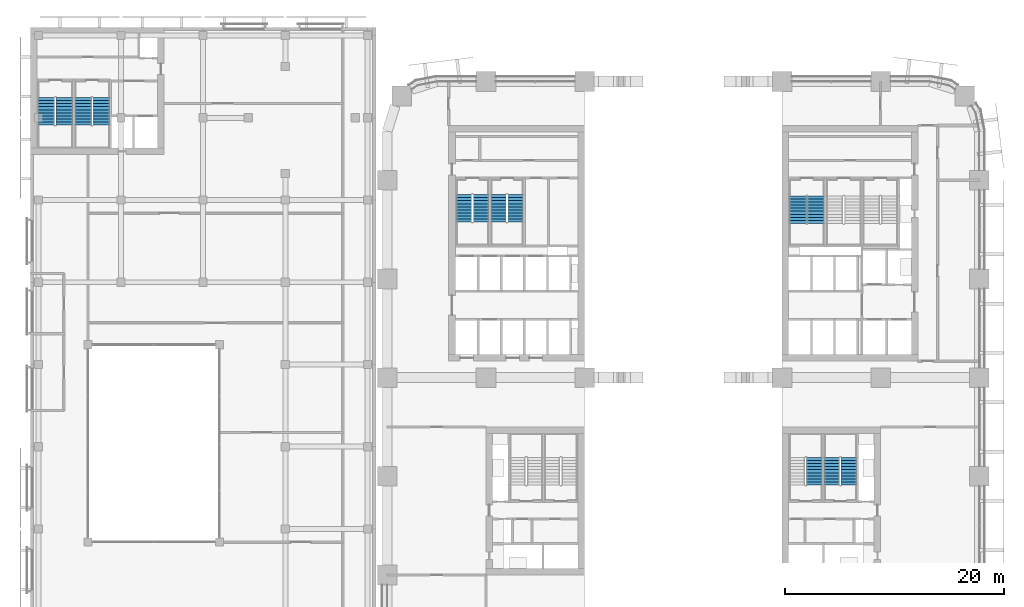
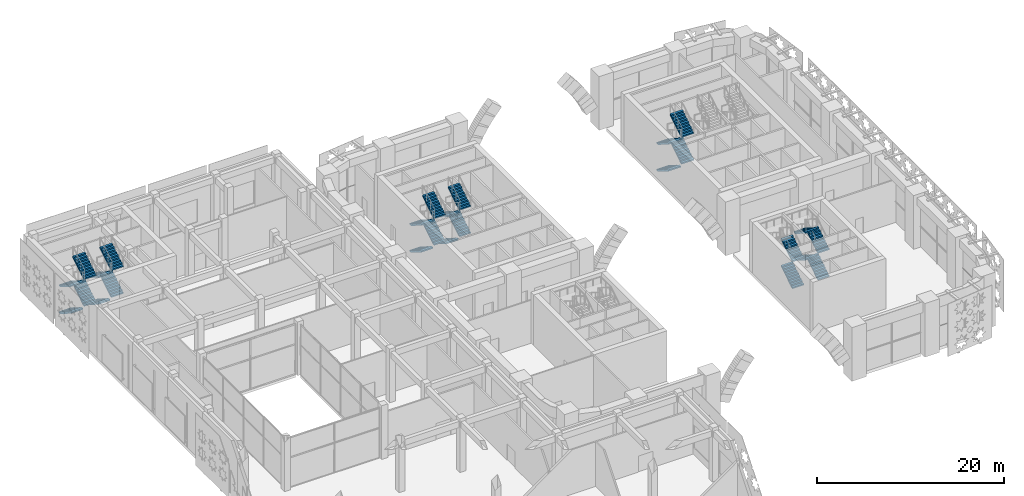
# One storey, part 25 of 42: 26 stair flights, 7 elements without a shape of their own.
"""IFC4 building model written with IfcOpenShell, lengths in metres."""

from ifc_helpers import new_model, si_unit, direction, frame, origin, place, context, subcontext, project, spatial, polyline, outline, extrude, material, type_object, element, aggregate, save


model = new_model("IFC4")

# Units and contexts
model_context = context("Model", 3, precision=1e-05, world=origin(), true_north=direction((0.0, 1.0)))
body_context = subcontext(model_context, "Body", "Model", "MODEL_VIEW")
ifc_project = project(units=[si_unit("LENGTHUNIT", "METRE"), si_unit("AREAUNIT", "SQUARE_METRE"), si_unit("VOLUMEUNIT", "CUBIC_METRE"), si_unit("PLANEANGLEUNIT", "RADIAN"), si_unit("MASSUNIT", "GRAM", prefix="KILO")], contexts=[model_context])

# Site, building, storey
site_placement = place(None, origin())
site = spatial("IfcSite", under=ifc_project, at=site_placement, CompositionType="ELEMENT")
building_placement = place(site_placement, origin())
building = spatial("IfcBuilding", under=site, at=building_placement, Name="Tessera Arch", CompositionType="ELEMENT")
storey_placement = place(building_placement, frame((0.0, 0.0, 14.0)))
storey = spatial("IfcBuildingStorey", under=building, at=storey_placement, Name="L02", CompositionType="ELEMENT", Elevation=14.0)

# Stair, stair flights
ifc_material_1 = material(Name="Concrete C40/50", Category="concrete")
stair_type_1 = type_object("IfcStairType", Name="Dogleg stair 1400", PredefinedType="HALF_TURN_STAIR", material=ifc_material_1)
stair_1_placement = place(storey_placement, origin())
stair_1 = element("IfcStair", 1, at=stair_1_placement, inside=storey, type_object=stair_type_1, Name="L02 S2a", PredefinedType="HALF_TURN_STAIR")
ifc_material_2 = material(Name="Concrete C40/50", Category="concrete")
stair_flight_type_1 = type_object("IfcStairFlightType", Name="Stair flight 1400", PredefinedType="STRAIGHT", material=ifc_material_2)
stair_flight_1_placement = place(storey_placement, frame((7.0, 43.699951171875, 0.0), z_axis=(0.0, 0.0, 1.0), x_axis=(0.0, -1.0, 0.0)))
stair_flight_1 = element("IfcStairFlight", 2, at=stair_flight_1_placement, type_object=stair_flight_type_1, Name="S2a flight 1", NumberOfRisers=10, NumberOfTreads=9, PredefinedType="STRAIGHT", RiserHeight=0.175, TreadLength=0.28, context=body_context, shape_type="SweptSolid", body=[
    extrude(outline(polyline([(0.0, 0.0), (0.0, 0.175048828125), (0.280029296875, 0.175048828125), (0.280029296875, 0.35009765625), (0.56005859375, 0.35009765625), (0.56005859375, 0.52490234375), (0.840087890625, 0.52490234375), (0.840087890625, 0.699951171875), (1.1201171875, 0.699951171875), (1.1201171875, 0.875), (1.39990234375, 0.875), (1.39990234375, 1.050048828125), (1.679931640625, 1.050048828125), (1.679931640625, 1.22509765625), (1.9599609375, 1.22509765625), (1.9599609375, 1.39990234375), (2.239990234375, 1.39990234375), (2.239990234375, 1.574951171875), (2.52001953125, 1.574951171875), (2.52001953125, 1.75), (2.52001953125, 1.398193359375), (0.28271484375, 0.0), (0.0, 0.0)])), frame((0.0, 0.699951171875, 0.0), z_axis=(0.0, -1.0, 0.0), x_axis=(1.0, 0.0, 0.0)), (0.0, 0.0, 1.0), 1.39990234375),
])
stair_flight_2_placement = place(storey_placement, frame((8.550048828125, 41.179931640625, 1.75), z_axis=(0.0, 0.0, 1.0), x_axis=(0.0, 1.0, 0.0)))
stair_flight_2 = element("IfcStairFlight", 3, at=stair_flight_2_placement, type_object=stair_flight_type_1, Name="S2a flight 2", NumberOfRisers=10, NumberOfTreads=9, PredefinedType="STRAIGHT", RiserHeight=0.175, TreadLength=0.28, context=body_context, shape_type="SweptSolid", body=[
    extrude(outline(polyline([(0.0, 0.0), (0.0, 0.175048828125), (0.280029296875, 0.175048828125), (0.280029296875, 0.35009765625), (0.56005859375, 0.35009765625), (0.56005859375, 0.52490234375), (0.840087890625, 0.52490234375), (0.840087890625, 0.699951171875), (1.1201171875, 0.699951171875), (1.1201171875, 0.875), (1.39990234375, 0.875), (1.39990234375, 1.050048828125), (1.679931640625, 1.050048828125), (1.679931640625, 1.22509765625), (1.9599609375, 1.22509765625), (1.9599609375, 1.39990234375), (2.239990234375, 1.39990234375), (2.239990234375, 1.574951171875), (2.52001953125, 1.574951171875), (2.52001953125, 1.75), (2.52001953125, 1.398193359375), (0.28271484375, 0.0), (0.0, 0.0)])), frame((0.0, 0.699951171875, 0.0), z_axis=(0.0, -1.0, 0.0), x_axis=(1.0, 0.0, 0.0)), (0.0, 0.0, 1.0), 1.39990234375),
])
stair_flight_3_placement = place(storey_placement, frame((7.0, 43.699951171875, 3.5), z_axis=(0.0, 0.0, 1.0), x_axis=(0.0, -1.0, 0.0)))
stair_flight_3 = element("IfcStairFlight", 4, at=stair_flight_3_placement, type_object=stair_flight_type_1, Name="S2a flight 3", NumberOfRisers=10, NumberOfTreads=9, PredefinedType="STRAIGHT", RiserHeight=0.175, TreadLength=0.28, context=body_context, shape_type="SweptSolid", body=[
    extrude(outline(polyline([(0.0, 0.0), (0.0, 0.175048828125), (0.280029296875, 0.175048828125), (0.280029296875, 0.35009765625), (0.56005859375, 0.35009765625), (0.56005859375, 0.52490234375), (0.840087890625, 0.52490234375), (0.840087890625, 0.699951171875), (1.1201171875, 0.699951171875), (1.1201171875, 0.875), (1.39990234375, 0.875), (1.39990234375, 1.050048828125), (1.679931640625, 1.050048828125), (1.679931640625, 1.22509765625), (1.9599609375, 1.22509765625), (1.9599609375, 1.39990234375), (2.239990234375, 1.39990234375), (2.239990234375, 1.574951171875), (2.52001953125, 1.574951171875), (2.52001953125, 1.75), (2.52001953125, 1.398193359375), (0.28271484375, 0.0), (0.0, 0.0)])), frame((0.0, 0.699951171875, 0.0), z_axis=(0.0, -1.0, 0.0), x_axis=(1.0, 0.0, 0.0)), (0.0, 0.0, 1.0), 1.39990234375),
])
stair_flight_4_placement = place(storey_placement, frame((8.550048828125, 41.179931640625, 5.25), z_axis=(0.0, 0.0, 1.0), x_axis=(0.0, 1.0, 0.0)))
stair_flight_4 = element("IfcStairFlight", 5, at=stair_flight_4_placement, type_object=stair_flight_type_1, Name="S2a flight 4", NumberOfRisers=10, NumberOfTreads=9, PredefinedType="STRAIGHT", RiserHeight=0.175, TreadLength=0.28, context=body_context, shape_type="SweptSolid", body=[
    extrude(outline(polyline([(0.0, 0.0), (0.0, 0.175048828125), (0.280029296875, 0.175048828125), (0.280029296875, 0.35009765625), (0.56005859375, 0.35009765625), (0.56005859375, 0.52490234375), (0.840087890625, 0.52490234375), (0.840087890625, 0.699951171875), (1.1201171875, 0.699951171875), (1.1201171875, 0.875), (1.39990234375, 0.875), (1.39990234375, 1.050048828125), (1.679931640625, 1.050048828125), (1.679931640625, 1.22509765625), (1.9599609375, 1.22509765625), (1.9599609375, 1.39990234375), (2.239990234375, 1.39990234375), (2.239990234375, 1.574951171875), (2.52001953125, 1.574951171875), (2.52001953125, 1.75), (2.52001953125, 1.398193359375), (0.28271484375, 0.0), (0.0, 0.0)])), frame((0.0, 0.699951171875, 0.0), z_axis=(0.0, -1.0, 0.0), x_axis=(1.0, 0.0, 0.0)), (0.0, 0.0, 1.0), 1.39990234375),
])
aggregate(stair_1, [stair_flight_1, stair_flight_2, stair_flight_3, stair_flight_4])

stair_2_placement = place(storey_placement, origin())
stair_2 = element("IfcStair", 6, at=stair_2_placement, inside=storey, type_object=stair_type_1, Name="L02 S2b", PredefinedType="HALF_TURN_STAIR")
stair_flight_5_placement = place(storey_placement, frame((10.14990234375, 43.699951171875, 0.0), z_axis=(0.0, 0.0, 1.0), x_axis=(0.0, -1.0, 0.0)))
stair_flight_5 = element("IfcStairFlight", 7, at=stair_flight_5_placement, type_object=stair_flight_type_1, Name="S2b flight 1", NumberOfRisers=10, NumberOfTreads=9, PredefinedType="STRAIGHT", RiserHeight=0.175, TreadLength=0.28, context=body_context, shape_type="SweptSolid", body=[
    extrude(outline(polyline([(0.0, 0.0), (0.0, 0.175048828125), (0.280029296875, 0.175048828125), (0.280029296875, 0.35009765625), (0.56005859375, 0.35009765625), (0.56005859375, 0.52490234375), (0.840087890625, 0.52490234375), (0.840087890625, 0.699951171875), (1.1201171875, 0.699951171875), (1.1201171875, 0.875), (1.39990234375, 0.875), (1.39990234375, 1.050048828125), (1.679931640625, 1.050048828125), (1.679931640625, 1.22509765625), (1.9599609375, 1.22509765625), (1.9599609375, 1.39990234375), (2.239990234375, 1.39990234375), (2.239990234375, 1.574951171875), (2.52001953125, 1.574951171875), (2.52001953125, 1.75), (2.52001953125, 1.398193359375), (0.28271484375, 0.0), (0.0, 0.0)])), frame((0.0, 0.699951171875, 0.0), z_axis=(0.0, -1.0, 0.0), x_axis=(1.0, 0.0, 0.0)), (0.0, 0.0, 1.0), 1.39990234375),
])
stair_flight_6_placement = place(storey_placement, frame((11.699951171875, 41.179931640625, 1.75), z_axis=(0.0, 0.0, 1.0), x_axis=(0.0, 1.0, 0.0)))
stair_flight_6 = element("IfcStairFlight", 8, at=stair_flight_6_placement, type_object=stair_flight_type_1, Name="S2b flight 2", NumberOfRisers=10, NumberOfTreads=9, PredefinedType="STRAIGHT", RiserHeight=0.175, TreadLength=0.28, context=body_context, shape_type="SweptSolid", body=[
    extrude(outline(polyline([(0.0, 0.0), (0.0, 0.175048828125), (0.280029296875, 0.175048828125), (0.280029296875, 0.35009765625), (0.56005859375, 0.35009765625), (0.56005859375, 0.52490234375), (0.840087890625, 0.52490234375), (0.840087890625, 0.699951171875), (1.1201171875, 0.699951171875), (1.1201171875, 0.875), (1.39990234375, 0.875), (1.39990234375, 1.050048828125), (1.679931640625, 1.050048828125), (1.679931640625, 1.22509765625), (1.9599609375, 1.22509765625), (1.9599609375, 1.39990234375), (2.239990234375, 1.39990234375), (2.239990234375, 1.574951171875), (2.52001953125, 1.574951171875), (2.52001953125, 1.75), (2.52001953125, 1.398193359375), (0.28271484375, 0.0), (0.0, 0.0)])), frame((0.0, 0.699951171875, 0.0), z_axis=(0.0, -1.0, 0.0), x_axis=(1.0, 0.0, 0.0)), (0.0, 0.0, 1.0), 1.39990234375),
])
stair_flight_7_placement = place(storey_placement, frame((10.14990234375, 43.699951171875, 3.5), z_axis=(0.0, 0.0, 1.0), x_axis=(0.0, -1.0, 0.0)))
stair_flight_7 = element("IfcStairFlight", 9, at=stair_flight_7_placement, type_object=stair_flight_type_1, Name="S2b flight 3", NumberOfRisers=10, NumberOfTreads=9, PredefinedType="STRAIGHT", RiserHeight=0.175, TreadLength=0.28, context=body_context, shape_type="SweptSolid", body=[
    extrude(outline(polyline([(0.0, 0.0), (0.0, 0.175048828125), (0.280029296875, 0.175048828125), (0.280029296875, 0.35009765625), (0.56005859375, 0.35009765625), (0.56005859375, 0.52490234375), (0.840087890625, 0.52490234375), (0.840087890625, 0.699951171875), (1.1201171875, 0.699951171875), (1.1201171875, 0.875), (1.39990234375, 0.875), (1.39990234375, 1.050048828125), (1.679931640625, 1.050048828125), (1.679931640625, 1.22509765625), (1.9599609375, 1.22509765625), (1.9599609375, 1.39990234375), (2.239990234375, 1.39990234375), (2.239990234375, 1.574951171875), (2.52001953125, 1.574951171875), (2.52001953125, 1.75), (2.52001953125, 1.398193359375), (0.28271484375, 0.0), (0.0, 0.0)])), frame((0.0, 0.699951171875, 0.0), z_axis=(0.0, -1.0, 0.0), x_axis=(1.0, 0.0, 0.0)), (0.0, 0.0, 1.0), 1.39990234375),
])
stair_flight_8_placement = place(storey_placement, frame((11.699951171875, 41.179931640625, 5.25), z_axis=(0.0, 0.0, 1.0), x_axis=(0.0, 1.0, 0.0)))
stair_flight_8 = element("IfcStairFlight", 10, at=stair_flight_8_placement, type_object=stair_flight_type_1, Name="S2b flight 4", NumberOfRisers=10, NumberOfTreads=9, PredefinedType="STRAIGHT", RiserHeight=0.175, TreadLength=0.28, context=body_context, shape_type="SweptSolid", body=[
    extrude(outline(polyline([(0.0, 0.0), (0.0, 0.175048828125), (0.280029296875, 0.175048828125), (0.280029296875, 0.35009765625), (0.56005859375, 0.35009765625), (0.56005859375, 0.52490234375), (0.840087890625, 0.52490234375), (0.840087890625, 0.699951171875), (1.1201171875, 0.699951171875), (1.1201171875, 0.875), (1.39990234375, 0.875), (1.39990234375, 1.050048828125), (1.679931640625, 1.050048828125), (1.679931640625, 1.22509765625), (1.9599609375, 1.22509765625), (1.9599609375, 1.39990234375), (2.239990234375, 1.39990234375), (2.239990234375, 1.574951171875), (2.52001953125, 1.574951171875), (2.52001953125, 1.75), (2.52001953125, 1.398193359375), (0.28271484375, 0.0), (0.0, 0.0)])), frame((0.0, 0.699951171875, 0.0), z_axis=(0.0, -1.0, 0.0), x_axis=(1.0, 0.0, 0.0)), (0.0, 0.0, 1.0), 1.39990234375),
])
aggregate(stair_2, [stair_flight_5, stair_flight_6, stair_flight_7, stair_flight_8])

stair_3_placement = place(storey_placement, origin())
stair_3 = element("IfcStair", 11, at=stair_3_placement, inside=storey, type_object=stair_type_1, Name="L02 S3a", PredefinedType="HALF_TURN_STAIR")
stair_flight_9_placement = place(storey_placement, frame((38.949951171875, 17.199951171875, 0.0), z_axis=(0.0, 0.0, 1.0), x_axis=(0.0, 1.0, 0.0)))
stair_flight_9 = element("IfcStairFlight", 12, at=stair_flight_9_placement, type_object=stair_flight_type_1, Name="S3a flight 1", NumberOfRisers=10, NumberOfTreads=9, PredefinedType="STRAIGHT", RiserHeight=0.175, TreadLength=0.28, context=body_context, shape_type="SweptSolid", body=[
    extrude(outline(polyline([(0.0, 0.0), (0.0, 0.175048828125), (0.280029296875, 0.175048828125), (0.280029296875, 0.35009765625), (0.56005859375, 0.35009765625), (0.56005859375, 0.52490234375), (0.840087890625, 0.52490234375), (0.840087890625, 0.699951171875), (1.1201171875, 0.699951171875), (1.1201171875, 0.875), (1.39990234375, 0.875), (1.39990234375, 1.050048828125), (1.679931640625, 1.050048828125), (1.679931640625, 1.22509765625), (1.9599609375, 1.22509765625), (1.9599609375, 1.39990234375), (2.239990234375, 1.39990234375), (2.239990234375, 1.574951171875), (2.52001953125, 1.574951171875), (2.52001953125, 1.75), (2.52001953125, 1.398193359375), (0.28271484375, 0.0), (0.0, 0.0)])), frame((0.0, 0.699951171875, 0.0), z_axis=(0.0, -1.0, 0.0), x_axis=(1.0, 0.0, 0.0)), (0.0, 0.0, 1.0), 1.39990234375),
])
stair_flight_10_placement = place(storey_placement, frame((38.949951171875, 17.199951171875, 3.5), z_axis=(0.0, 0.0, 1.0), x_axis=(0.0, 1.0, 0.0)))
stair_flight_10 = element("IfcStairFlight", 13, at=stair_flight_10_placement, type_object=stair_flight_type_1, Name="S3a flight 3", NumberOfRisers=10, NumberOfTreads=9, PredefinedType="STRAIGHT", RiserHeight=0.175, TreadLength=0.28, context=body_context, shape_type="SweptSolid", body=[
    extrude(outline(polyline([(0.0, 0.0), (0.0, 0.175048828125), (0.280029296875, 0.175048828125), (0.280029296875, 0.35009765625), (0.56005859375, 0.35009765625), (0.56005859375, 0.52490234375), (0.840087890625, 0.52490234375), (0.840087890625, 0.699951171875), (1.1201171875, 0.699951171875), (1.1201171875, 0.875), (1.39990234375, 0.875), (1.39990234375, 1.050048828125), (1.679931640625, 1.050048828125), (1.679931640625, 1.22509765625), (1.9599609375, 1.22509765625), (1.9599609375, 1.39990234375), (2.239990234375, 1.39990234375), (2.239990234375, 1.574951171875), (2.52001953125, 1.574951171875), (2.52001953125, 1.75), (2.52001953125, 1.398193359375), (0.28271484375, 0.0), (0.0, 0.0)])), frame((0.0, 0.699951171875, 0.0), z_axis=(0.0, -1.0, 0.0), x_axis=(1.0, 0.0, 0.0)), (0.0, 0.0, 1.0), 1.39990234375),
])
aggregate(stair_3, [stair_flight_9, stair_flight_10])

stair_4_placement = place(storey_placement, origin())
stair_4 = element("IfcStair", 14, at=stair_4_placement, inside=storey, type_object=stair_type_1, Name="L02 S3b", PredefinedType="HALF_TURN_STAIR")
stair_flight_11_placement = place(storey_placement, frame((42.10009765625, 17.199951171875, 0.0), z_axis=(0.0, 0.0, 1.0), x_axis=(0.0, 1.0, 0.0)))
stair_flight_11 = element("IfcStairFlight", 15, at=stair_flight_11_placement, type_object=stair_flight_type_1, Name="S3b flight 1", NumberOfRisers=10, NumberOfTreads=9, PredefinedType="STRAIGHT", RiserHeight=0.175, TreadLength=0.28, context=body_context, shape_type="SweptSolid", body=[
    extrude(outline(polyline([(0.0, 0.0), (0.0, 0.175048828125), (0.280029296875, 0.175048828125), (0.280029296875, 0.35009765625), (0.56005859375, 0.35009765625), (0.56005859375, 0.52490234375), (0.840087890625, 0.52490234375), (0.840087890625, 0.699951171875), (1.1201171875, 0.699951171875), (1.1201171875, 0.875), (1.39990234375, 0.875), (1.39990234375, 1.050048828125), (1.679931640625, 1.050048828125), (1.679931640625, 1.22509765625), (1.9599609375, 1.22509765625), (1.9599609375, 1.39990234375), (2.239990234375, 1.39990234375), (2.239990234375, 1.574951171875), (2.52001953125, 1.574951171875), (2.52001953125, 1.75), (2.52001953125, 1.398193359375), (0.28271484375, 0.0), (0.0, 0.0)])), frame((0.0, 0.699951171875, 0.0), z_axis=(0.0, -1.0, 0.0), x_axis=(1.0, 0.0, 0.0)), (0.0, 0.0, 1.0), 1.39990234375),
])
stair_flight_12_placement = place(storey_placement, frame((40.550048828125, 19.719970703125, 1.75), z_axis=(0.0, 0.0, 1.0), x_axis=(0.0, -1.0, 0.0)))
stair_flight_12 = element("IfcStairFlight", 16, at=stair_flight_12_placement, type_object=stair_flight_type_1, Name="S3b flight 2", NumberOfRisers=10, NumberOfTreads=9, PredefinedType="STRAIGHT", RiserHeight=0.175, TreadLength=0.28, context=body_context, shape_type="SweptSolid", body=[
    extrude(outline(polyline([(0.0, 0.0), (0.0, 0.175048828125), (0.280029296875, 0.175048828125), (0.280029296875, 0.35009765625), (0.56005859375, 0.35009765625), (0.56005859375, 0.52490234375), (0.840087890625, 0.52490234375), (0.840087890625, 0.699951171875), (1.1201171875, 0.699951171875), (1.1201171875, 0.875), (1.39990234375, 0.875), (1.39990234375, 1.050048828125), (1.679931640625, 1.050048828125), (1.679931640625, 1.22509765625), (1.9599609375, 1.22509765625), (1.9599609375, 1.39990234375), (2.239990234375, 1.39990234375), (2.239990234375, 1.574951171875), (2.52001953125, 1.574951171875), (2.52001953125, 1.75), (2.52001953125, 1.398193359375), (0.28271484375, 0.0), (0.0, 0.0)])), frame((0.0, 0.699951171875, 0.0), z_axis=(0.0, -1.0, 0.0), x_axis=(1.0, 0.0, 0.0)), (0.0, 0.0, 1.0), 1.39990234375),
])
stair_flight_13_placement = place(storey_placement, frame((42.10009765625, 17.199951171875, 3.5), z_axis=(0.0, 0.0, 1.0), x_axis=(0.0, 1.0, 0.0)))
stair_flight_13 = element("IfcStairFlight", 17, at=stair_flight_13_placement, type_object=stair_flight_type_1, Name="S3b flight 3", NumberOfRisers=10, NumberOfTreads=9, PredefinedType="STRAIGHT", RiserHeight=0.175, TreadLength=0.28, context=body_context, shape_type="SweptSolid", body=[
    extrude(outline(polyline([(0.0, 0.0), (0.0, 0.175048828125), (0.280029296875, 0.175048828125), (0.280029296875, 0.35009765625), (0.56005859375, 0.35009765625), (0.56005859375, 0.52490234375), (0.840087890625, 0.52490234375), (0.840087890625, 0.699951171875), (1.1201171875, 0.699951171875), (1.1201171875, 0.875), (1.39990234375, 0.875), (1.39990234375, 1.050048828125), (1.679931640625, 1.050048828125), (1.679931640625, 1.22509765625), (1.9599609375, 1.22509765625), (1.9599609375, 1.39990234375), (2.239990234375, 1.39990234375), (2.239990234375, 1.574951171875), (2.52001953125, 1.574951171875), (2.52001953125, 1.75), (2.52001953125, 1.398193359375), (0.28271484375, 0.0), (0.0, 0.0)])), frame((0.0, 0.699951171875, 0.0), z_axis=(0.0, -1.0, 0.0), x_axis=(1.0, 0.0, 0.0)), (0.0, 0.0, 1.0), 1.39990234375),
])
stair_flight_14_placement = place(storey_placement, frame((40.550048828125, 19.719970703125, 5.25), z_axis=(0.0, 0.0, 1.0), x_axis=(0.0, -1.0, 0.0)))
stair_flight_14 = element("IfcStairFlight", 18, at=stair_flight_14_placement, type_object=stair_flight_type_1, Name="S3b flight 4", NumberOfRisers=10, NumberOfTreads=9, PredefinedType="STRAIGHT", RiserHeight=0.175, TreadLength=0.28, context=body_context, shape_type="SweptSolid", body=[
    extrude(outline(polyline([(0.0, 0.0), (0.0, 0.175048828125), (0.280029296875, 0.175048828125), (0.280029296875, 0.35009765625), (0.56005859375, 0.35009765625), (0.56005859375, 0.52490234375), (0.840087890625, 0.52490234375), (0.840087890625, 0.699951171875), (1.1201171875, 0.699951171875), (1.1201171875, 0.875), (1.39990234375, 0.875), (1.39990234375, 1.050048828125), (1.679931640625, 1.050048828125), (1.679931640625, 1.22509765625), (1.9599609375, 1.22509765625), (1.9599609375, 1.39990234375), (2.239990234375, 1.39990234375), (2.239990234375, 1.574951171875), (2.52001953125, 1.574951171875), (2.52001953125, 1.75), (2.52001953125, 1.398193359375), (0.28271484375, 0.0), (0.0, 0.0)])), frame((0.0, 0.699951171875, 0.0), z_axis=(0.0, -1.0, 0.0), x_axis=(1.0, 0.0, 0.0)), (0.0, 0.0, 1.0), 1.39990234375),
])
aggregate(stair_4, [stair_flight_11, stair_flight_12, stair_flight_13, stair_flight_14])

ifc_material_3 = material(Name="Concrete C40/50", Category="concrete")
stair_type_2 = type_object("IfcStairType", Name="Dogleg stair 1500", PredefinedType="HALF_TURN_STAIR", material=ifc_material_3)
stair_5_placement = place(storey_placement, origin())
stair_5 = element("IfcStair", 19, at=stair_5_placement, inside=storey, type_object=stair_type_2, Name="L02 M1a", PredefinedType="HALF_TURN_STAIR")
ifc_material_4 = material(Name="Concrete C40/50", Category="concrete")
stair_flight_type_2 = type_object("IfcStairFlightType", Name="Stair flight 1500", PredefinedType="STRAIGHT", material=ifc_material_4)
stair_flight_15_placement = place(storey_placement, frame((-31.10009765625, 52.550048828125, 0.0), z_axis=(0.0, 0.0, 1.0), x_axis=(0.0, -1.0, 0.0)))
stair_flight_15 = element("IfcStairFlight", 20, at=stair_flight_15_placement, type_object=stair_flight_type_2, Name="M1a flight 1", NumberOfRisers=10, NumberOfTreads=9, PredefinedType="STRAIGHT", RiserHeight=0.175, TreadLength=0.28, context=body_context, shape_type="SweptSolid", body=[
    extrude(outline(polyline([(0.0, 0.0), (0.0, 0.175048828125), (0.280029296875, 0.175048828125), (0.280029296875, 0.35009765625), (0.56005859375, 0.35009765625), (0.56005859375, 0.52490234375), (0.840087890625, 0.52490234375), (0.840087890625, 0.699951171875), (1.1201171875, 0.699951171875), (1.1201171875, 0.875), (1.39990234375, 0.875), (1.39990234375, 1.050048828125), (1.679931640625, 1.050048828125), (1.679931640625, 1.22509765625), (1.9599609375, 1.22509765625), (1.9599609375, 1.39990234375), (2.239990234375, 1.39990234375), (2.239990234375, 1.574951171875), (2.52001953125, 1.574951171875), (2.52001953125, 1.75), (2.52001953125, 1.398193359375), (0.28271484375, 0.0), (0.0, 0.0)])), frame((0.0, 0.75, 0.0), z_axis=(0.0, -1.0, 0.0), x_axis=(1.0, 0.0, 0.0)), (0.0, 0.0, 1.0), 1.5),
])
stair_flight_16_placement = place(storey_placement, frame((-29.449951171875, 50.030029296875, 1.75), z_axis=(0.0, 0.0, 1.0), x_axis=(0.0, 1.0, 0.0)))
stair_flight_16 = element("IfcStairFlight", 21, at=stair_flight_16_placement, type_object=stair_flight_type_2, Name="M1a flight 2", NumberOfRisers=10, NumberOfTreads=9, PredefinedType="STRAIGHT", RiserHeight=0.175, TreadLength=0.28, context=body_context, shape_type="SweptSolid", body=[
    extrude(outline(polyline([(0.0, 0.0), (0.0, 0.175048828125), (0.280029296875, 0.175048828125), (0.280029296875, 0.35009765625), (0.56005859375, 0.35009765625), (0.56005859375, 0.52490234375), (0.840087890625, 0.52490234375), (0.840087890625, 0.699951171875), (1.1201171875, 0.699951171875), (1.1201171875, 0.875), (1.39990234375, 0.875), (1.39990234375, 1.050048828125), (1.679931640625, 1.050048828125), (1.679931640625, 1.22509765625), (1.9599609375, 1.22509765625), (1.9599609375, 1.39990234375), (2.239990234375, 1.39990234375), (2.239990234375, 1.574951171875), (2.52001953125, 1.574951171875), (2.52001953125, 1.75), (2.52001953125, 1.398193359375), (0.28271484375, 0.0), (0.0, 0.0)])), frame((0.0, 0.75, 0.0), z_axis=(0.0, -1.0, 0.0), x_axis=(1.0, 0.0, 0.0)), (0.0, 0.0, 1.0), 1.5),
])
stair_flight_17_placement = place(storey_placement, frame((-31.10009765625, 52.550048828125, 3.5), z_axis=(0.0, 0.0, 1.0), x_axis=(0.0, -1.0, 0.0)))
stair_flight_17 = element("IfcStairFlight", 22, at=stair_flight_17_placement, type_object=stair_flight_type_2, Name="M1a flight 3", NumberOfRisers=10, NumberOfTreads=9, PredefinedType="STRAIGHT", RiserHeight=0.175, TreadLength=0.28, context=body_context, shape_type="SweptSolid", body=[
    extrude(outline(polyline([(0.0, 0.0), (0.0, 0.175048828125), (0.280029296875, 0.175048828125), (0.280029296875, 0.35009765625), (0.56005859375, 0.35009765625), (0.56005859375, 0.52490234375), (0.840087890625, 0.52490234375), (0.840087890625, 0.699951171875), (1.1201171875, 0.699951171875), (1.1201171875, 0.875), (1.39990234375, 0.875), (1.39990234375, 1.050048828125), (1.679931640625, 1.050048828125), (1.679931640625, 1.22509765625), (1.9599609375, 1.22509765625), (1.9599609375, 1.39990234375), (2.239990234375, 1.39990234375), (2.239990234375, 1.574951171875), (2.52001953125, 1.574951171875), (2.52001953125, 1.75), (2.52001953125, 1.398193359375), (0.28271484375, 0.0), (0.0, 0.0)])), frame((0.0, 0.75, 0.0), z_axis=(0.0, -1.0, 0.0), x_axis=(1.0, 0.0, 0.0)), (0.0, 0.0, 1.0), 1.5),
])
stair_flight_18_placement = place(storey_placement, frame((-29.449951171875, 50.030029296875, 5.25), z_axis=(0.0, 0.0, 1.0), x_axis=(0.0, 1.0, 0.0)))
stair_flight_18 = element("IfcStairFlight", 23, at=stair_flight_18_placement, type_object=stair_flight_type_2, Name="M1a flight 4", NumberOfRisers=10, NumberOfTreads=9, PredefinedType="STRAIGHT", RiserHeight=0.175, TreadLength=0.28, context=body_context, shape_type="SweptSolid", body=[
    extrude(outline(polyline([(0.0, 0.0), (0.0, 0.175048828125), (0.280029296875, 0.175048828125), (0.280029296875, 0.35009765625), (0.56005859375, 0.35009765625), (0.56005859375, 0.52490234375), (0.840087890625, 0.52490234375), (0.840087890625, 0.699951171875), (1.1201171875, 0.699951171875), (1.1201171875, 0.875), (1.39990234375, 0.875), (1.39990234375, 1.050048828125), (1.679931640625, 1.050048828125), (1.679931640625, 1.22509765625), (1.9599609375, 1.22509765625), (1.9599609375, 1.39990234375), (2.239990234375, 1.39990234375), (2.239990234375, 1.574951171875), (2.52001953125, 1.574951171875), (2.52001953125, 1.75), (2.52001953125, 1.398193359375), (0.28271484375, 0.0), (0.0, 0.0)])), frame((0.0, 0.75, 0.0), z_axis=(0.0, -1.0, 0.0), x_axis=(1.0, 0.0, 0.0)), (0.0, 0.0, 1.0), 1.5),
])
aggregate(stair_5, [stair_flight_15, stair_flight_16, stair_flight_17, stair_flight_18])

stair_6_placement = place(storey_placement, origin())
stair_6 = element("IfcStair", 24, at=stair_6_placement, inside=storey, type_object=stair_type_2, Name="L02 M1b", PredefinedType="HALF_TURN_STAIR")
stair_flight_19_placement = place(storey_placement, frame((-27.75, 52.550048828125, 0.0), z_axis=(0.0, 0.0, 1.0), x_axis=(0.0, -1.0, 0.0)))
stair_flight_19 = element("IfcStairFlight", 25, at=stair_flight_19_placement, type_object=stair_flight_type_2, Name="M1b flight 1", NumberOfRisers=10, NumberOfTreads=9, PredefinedType="STRAIGHT", RiserHeight=0.175, TreadLength=0.28, context=body_context, shape_type="SweptSolid", body=[
    extrude(outline(polyline([(0.0, 0.0), (0.0, 0.175048828125), (0.280029296875, 0.175048828125), (0.280029296875, 0.35009765625), (0.56005859375, 0.35009765625), (0.56005859375, 0.52490234375), (0.840087890625, 0.52490234375), (0.840087890625, 0.699951171875), (1.1201171875, 0.699951171875), (1.1201171875, 0.875), (1.39990234375, 0.875), (1.39990234375, 1.050048828125), (1.679931640625, 1.050048828125), (1.679931640625, 1.22509765625), (1.9599609375, 1.22509765625), (1.9599609375, 1.39990234375), (2.239990234375, 1.39990234375), (2.239990234375, 1.574951171875), (2.52001953125, 1.574951171875), (2.52001953125, 1.75), (2.52001953125, 1.398193359375), (0.28271484375, 0.0), (0.0, 0.0)])), frame((0.0, 0.75, 0.0), z_axis=(0.0, -1.0, 0.0), x_axis=(1.0, 0.0, 0.0)), (0.0, 0.0, 1.0), 1.5),
])
stair_flight_20_placement = place(storey_placement, frame((-26.10009765625, 50.030029296875, 1.75), z_axis=(0.0, 0.0, 1.0), x_axis=(0.0, 1.0, 0.0)))
stair_flight_20 = element("IfcStairFlight", 26, at=stair_flight_20_placement, type_object=stair_flight_type_2, Name="M1b flight 2", NumberOfRisers=10, NumberOfTreads=9, PredefinedType="STRAIGHT", RiserHeight=0.175, TreadLength=0.28, context=body_context, shape_type="SweptSolid", body=[
    extrude(outline(polyline([(0.0, 0.0), (0.0, 0.175048828125), (0.280029296875, 0.175048828125), (0.280029296875, 0.35009765625), (0.56005859375, 0.35009765625), (0.56005859375, 0.52490234375), (0.840087890625, 0.52490234375), (0.840087890625, 0.699951171875), (1.1201171875, 0.699951171875), (1.1201171875, 0.875), (1.39990234375, 0.875), (1.39990234375, 1.050048828125), (1.679931640625, 1.050048828125), (1.679931640625, 1.22509765625), (1.9599609375, 1.22509765625), (1.9599609375, 1.39990234375), (2.239990234375, 1.39990234375), (2.239990234375, 1.574951171875), (2.52001953125, 1.574951171875), (2.52001953125, 1.75), (2.52001953125, 1.398193359375), (0.28271484375, 0.0), (0.0, 0.0)])), frame((0.0, 0.75, 0.0), z_axis=(0.0, -1.0, 0.0), x_axis=(1.0, 0.0, 0.0)), (0.0, 0.0, 1.0), 1.5),
])
stair_flight_21_placement = place(storey_placement, frame((-27.75, 52.550048828125, 3.5), z_axis=(0.0, 0.0, 1.0), x_axis=(0.0, -1.0, 0.0)))
stair_flight_21 = element("IfcStairFlight", 27, at=stair_flight_21_placement, type_object=stair_flight_type_2, Name="M1b flight 3", NumberOfRisers=10, NumberOfTreads=9, PredefinedType="STRAIGHT", RiserHeight=0.175, TreadLength=0.28, context=body_context, shape_type="SweptSolid", body=[
    extrude(outline(polyline([(0.0, 0.0), (0.0, 0.175048828125), (0.280029296875, 0.175048828125), (0.280029296875, 0.35009765625), (0.56005859375, 0.35009765625), (0.56005859375, 0.52490234375), (0.840087890625, 0.52490234375), (0.840087890625, 0.699951171875), (1.1201171875, 0.699951171875), (1.1201171875, 0.875), (1.39990234375, 0.875), (1.39990234375, 1.050048828125), (1.679931640625, 1.050048828125), (1.679931640625, 1.22509765625), (1.9599609375, 1.22509765625), (1.9599609375, 1.39990234375), (2.239990234375, 1.39990234375), (2.239990234375, 1.574951171875), (2.52001953125, 1.574951171875), (2.52001953125, 1.75), (2.52001953125, 1.398193359375), (0.28271484375, 0.0), (0.0, 0.0)])), frame((0.0, 0.75, 0.0), z_axis=(0.0, -1.0, 0.0), x_axis=(1.0, 0.0, 0.0)), (0.0, 0.0, 1.0), 1.5),
])
stair_flight_22_placement = place(storey_placement, frame((-26.10009765625, 50.030029296875, 5.25), z_axis=(0.0, 0.0, 1.0), x_axis=(0.0, 1.0, 0.0)))
stair_flight_22 = element("IfcStairFlight", 28, at=stair_flight_22_placement, type_object=stair_flight_type_2, Name="M1b flight 4", NumberOfRisers=10, NumberOfTreads=9, PredefinedType="STRAIGHT", RiserHeight=0.175, TreadLength=0.28, context=body_context, shape_type="SweptSolid", body=[
    extrude(outline(polyline([(0.0, 0.0), (0.0, 0.175048828125), (0.280029296875, 0.175048828125), (0.280029296875, 0.35009765625), (0.56005859375, 0.35009765625), (0.56005859375, 0.52490234375), (0.840087890625, 0.52490234375), (0.840087890625, 0.699951171875), (1.1201171875, 0.699951171875), (1.1201171875, 0.875), (1.39990234375, 0.875), (1.39990234375, 1.050048828125), (1.679931640625, 1.050048828125), (1.679931640625, 1.22509765625), (1.9599609375, 1.22509765625), (1.9599609375, 1.39990234375), (2.239990234375, 1.39990234375), (2.239990234375, 1.574951171875), (2.52001953125, 1.574951171875), (2.52001953125, 1.75), (2.52001953125, 1.398193359375), (0.28271484375, 0.0), (0.0, 0.0)])), frame((0.0, 0.75, 0.0), z_axis=(0.0, -1.0, 0.0), x_axis=(1.0, 0.0, 0.0)), (0.0, 0.0, 1.0), 1.5),
])
aggregate(stair_6, [stair_flight_19, stair_flight_20, stair_flight_21, stair_flight_22])

ifc_material_5 = material(Name="Concrete C40/50", Category="concrete")
stair_type_3 = type_object("IfcStairType", Name="Dogleg stair 1520", PredefinedType="HALF_TURN_STAIR", material=ifc_material_5)
stair_7_placement = place(storey_placement, origin())
stair_7 = element("IfcStair", 29, at=stair_7_placement, inside=storey, type_object=stair_type_3, Name="L02 S1a", PredefinedType="HALF_TURN_STAIR")
ifc_material_6 = material(Name="Concrete C40/50", Category="concrete")
stair_flight_type_3 = type_object("IfcStairFlightType", Name="Stair flight 1520", PredefinedType="STRAIGHT", material=ifc_material_6)
stair_flight_23_placement = place(storey_placement, frame((37.4599609375, 43.580078125, 0.0), z_axis=(0.0, 0.0, 1.0), x_axis=(0.0, -1.0, 0.0)))
stair_flight_23 = element("IfcStairFlight", 30, at=stair_flight_23_placement, type_object=stair_flight_type_3, Name="S1a flight 1", NumberOfRisers=10, NumberOfTreads=9, PredefinedType="STRAIGHT", RiserHeight=0.175, TreadLength=0.28, context=body_context, shape_type="SweptSolid", body=[
    extrude(outline(polyline([(0.0, 0.0), (0.0, 0.175048828125), (0.280029296875, 0.175048828125), (0.280029296875, 0.35009765625), (0.56005859375, 0.35009765625), (0.56005859375, 0.52490234375), (0.840087890625, 0.52490234375), (0.840087890625, 0.699951171875), (1.1201171875, 0.699951171875), (1.1201171875, 0.875), (1.39990234375, 0.875), (1.39990234375, 1.050048828125), (1.679931640625, 1.050048828125), (1.679931640625, 1.22509765625), (1.9599609375, 1.22509765625), (1.9599609375, 1.39990234375), (2.239990234375, 1.39990234375), (2.239990234375, 1.574951171875), (2.52001953125, 1.574951171875), (2.52001953125, 1.75), (2.52001953125, 1.398193359375), (0.28271484375, 0.0), (0.0, 0.0)])), frame((0.0, 0.760009765625, 0.0), z_axis=(0.0, -1.0, 0.0), x_axis=(1.0, 0.0, 0.0)), (0.0, 0.0, 1.0), 1.52001953125),
])
stair_flight_24_placement = place(storey_placement, frame((39.090087890625, 41.06005859375, 1.75), z_axis=(0.0, 0.0, 1.0), x_axis=(0.0, 1.0, 0.0)))
stair_flight_24 = element("IfcStairFlight", 31, at=stair_flight_24_placement, type_object=stair_flight_type_3, Name="S1a flight 2", NumberOfRisers=10, NumberOfTreads=9, PredefinedType="STRAIGHT", RiserHeight=0.175, TreadLength=0.28, context=body_context, shape_type="SweptSolid", body=[
    extrude(outline(polyline([(0.0, 0.0), (0.0, 0.175048828125), (0.280029296875, 0.175048828125), (0.280029296875, 0.35009765625), (0.56005859375, 0.35009765625), (0.56005859375, 0.52490234375), (0.840087890625, 0.52490234375), (0.840087890625, 0.699951171875), (1.1201171875, 0.699951171875), (1.1201171875, 0.875), (1.39990234375, 0.875), (1.39990234375, 1.050048828125), (1.679931640625, 1.050048828125), (1.679931640625, 1.22509765625), (1.9599609375, 1.22509765625), (1.9599609375, 1.39990234375), (2.239990234375, 1.39990234375), (2.239990234375, 1.574951171875), (2.52001953125, 1.574951171875), (2.52001953125, 1.75), (2.52001953125, 1.398193359375), (0.28271484375, 0.0), (0.0, 0.0)])), frame((0.0, 0.760009765625, 0.0), z_axis=(0.0, -1.0, 0.0), x_axis=(1.0, 0.0, 0.0)), (0.0, 0.0, 1.0), 1.52001953125),
])
stair_flight_25_placement = place(storey_placement, frame((37.4599609375, 43.580078125, 3.5), z_axis=(0.0, 0.0, 1.0), x_axis=(0.0, -1.0, 0.0)))
stair_flight_25 = element("IfcStairFlight", 32, at=stair_flight_25_placement, type_object=stair_flight_type_3, Name="S1a flight 3", NumberOfRisers=10, NumberOfTreads=9, PredefinedType="STRAIGHT", RiserHeight=0.175, TreadLength=0.28, context=body_context, shape_type="SweptSolid", body=[
    extrude(outline(polyline([(0.0, 0.0), (0.0, 0.175048828125), (0.280029296875, 0.175048828125), (0.280029296875, 0.35009765625), (0.56005859375, 0.35009765625), (0.56005859375, 0.52490234375), (0.840087890625, 0.52490234375), (0.840087890625, 0.699951171875), (1.1201171875, 0.699951171875), (1.1201171875, 0.875), (1.39990234375, 0.875), (1.39990234375, 1.050048828125), (1.679931640625, 1.050048828125), (1.679931640625, 1.22509765625), (1.9599609375, 1.22509765625), (1.9599609375, 1.39990234375), (2.239990234375, 1.39990234375), (2.239990234375, 1.574951171875), (2.52001953125, 1.574951171875), (2.52001953125, 1.75), (2.52001953125, 1.398193359375), (0.28271484375, 0.0), (0.0, 0.0)])), frame((0.0, 0.760009765625, 0.0), z_axis=(0.0, -1.0, 0.0), x_axis=(1.0, 0.0, 0.0)), (0.0, 0.0, 1.0), 1.52001953125),
])
stair_flight_26_placement = place(storey_placement, frame((39.090087890625, 41.06005859375, 5.25), z_axis=(0.0, 0.0, 1.0), x_axis=(0.0, 1.0, 0.0)))
stair_flight_26 = element("IfcStairFlight", 33, at=stair_flight_26_placement, type_object=stair_flight_type_3, Name="S1a flight 4", NumberOfRisers=10, NumberOfTreads=9, PredefinedType="STRAIGHT", RiserHeight=0.175, TreadLength=0.28, context=body_context, shape_type="SweptSolid", body=[
    extrude(outline(polyline([(0.0, 0.0), (0.0, 0.175048828125), (0.280029296875, 0.175048828125), (0.280029296875, 0.35009765625), (0.56005859375, 0.35009765625), (0.56005859375, 0.52490234375), (0.840087890625, 0.52490234375), (0.840087890625, 0.699951171875), (1.1201171875, 0.699951171875), (1.1201171875, 0.875), (1.39990234375, 0.875), (1.39990234375, 1.050048828125), (1.679931640625, 1.050048828125), (1.679931640625, 1.22509765625), (1.9599609375, 1.22509765625), (1.9599609375, 1.39990234375), (2.239990234375, 1.39990234375), (2.239990234375, 1.574951171875), (2.52001953125, 1.574951171875), (2.52001953125, 1.75), (2.52001953125, 1.398193359375), (0.28271484375, 0.0), (0.0, 0.0)])), frame((0.0, 0.760009765625, 0.0), z_axis=(0.0, -1.0, 0.0), x_axis=(1.0, 0.0, 0.0)), (0.0, 0.0, 1.0), 1.52001953125),
])
aggregate(stair_7, [stair_flight_23, stair_flight_24, stair_flight_25, stair_flight_26])

save(model, "model.ifc")
